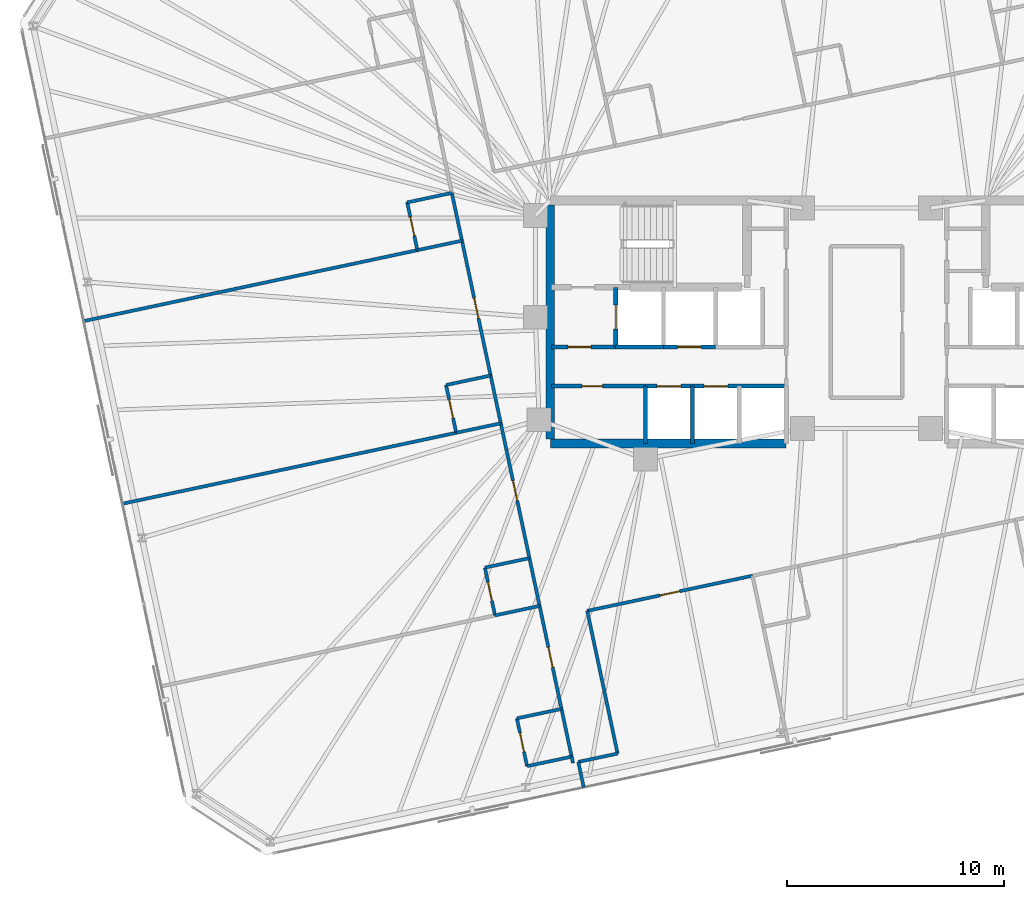
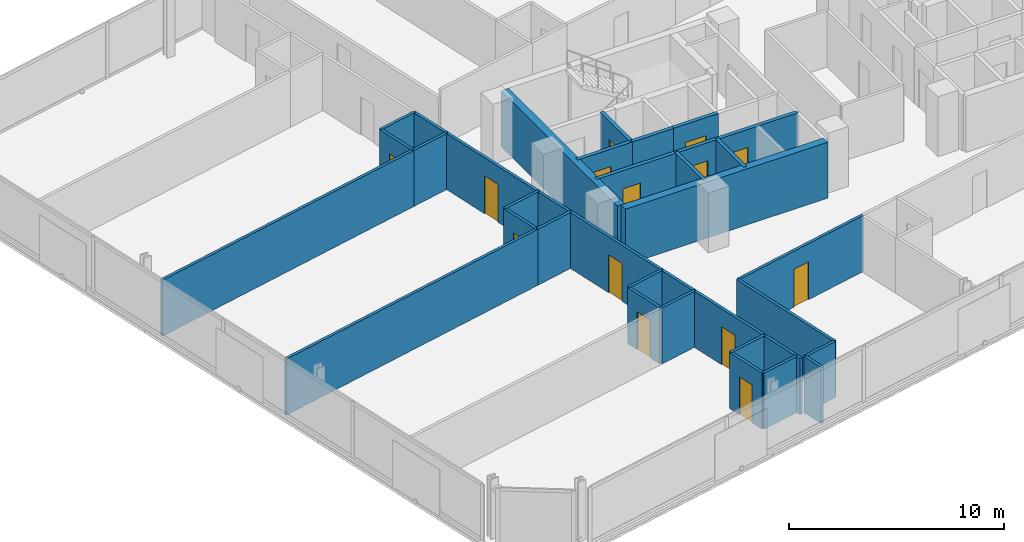
# One storey, part 14 of 19: 35 walls, 14 doors, 14 openings.
"""IFC4 building model written with IfcOpenShell, lengths in metres."""

from ifc_helpers import new_model, si_unit, direction, frame, frame_2d, origin, place, context, subcontext, project, spatial, rectangle, extrude, material, layer, layer_set, type_object, element, fill, save


model = new_model("IFC4")

# Units and contexts
model_context = context("Model", 3, precision=1e-05, world=origin(), true_north=direction((0.0, 1.0)))
body_context = subcontext(model_context, "Body", "Model", "MODEL_VIEW")
ifc_project = project(units=[si_unit("LENGTHUNIT", "METRE"), si_unit("AREAUNIT", "SQUARE_METRE"), si_unit("VOLUMEUNIT", "CUBIC_METRE"), si_unit("PLANEANGLEUNIT", "RADIAN"), si_unit("MASSUNIT", "GRAM", prefix="KILO")], contexts=[model_context])

# Site, building, storey
site_placement = place(None, origin())
site = spatial("IfcSite", under=ifc_project, at=site_placement, CompositionType="ELEMENT")
building_placement = place(site_placement, origin())
building = spatial("IfcBuilding", under=site, at=building_placement, Name="Menara Jurai Vektor", CompositionType="ELEMENT")
storey_placement = place(building_placement, frame((0.0, 0.0, 182.0)))
storey = spatial("IfcBuildingStorey", under=building, at=storey_placement, Name="L47", CompositionType="ELEMENT", Elevation=182.0)

# Wall, opening, door
ifc_material_1 = material(Name="Concrete C40/50", Category="concrete")
ifc_layer_1 = layer(ifc_material_1, 0.25)
ifc_layer_set_1 = layer_set([ifc_layer_1], Name="Concrete C40/50")
wall_type_1 = type_object("IfcWallType", Name="INT-WALL-CORE-250", PredefinedType="STANDARD", material=ifc_layer_set_1)
wall_1_placement = place(storey_placement, frame((-11.550048828125, -1.14990234375, 0.0), z_axis=(0.0, 0.0, 1.0), x_axis=(0.0, 1.0, 0.0)))
wall_1 = element("IfcWall", 1, at=wall_1_placement, inside=storey, type_object=wall_type_1, Name="Interior Wall IW-250 L47", PredefinedType="STANDARD", context=body_context, shape_type="SweptSolid", body=[
    extrude(rectangle(XDim=2.75, YDim=0.199951171875, at=frame_2d((1.375, 0.0))), origin(), (0.0, 0.0, 1.0), 3.175048828125),
])
opening_1_placement = place(wall_1_placement, frame((0.824951171875, 0.0, 0.0)))
opening_1 = element("IfcOpeningElement", 2, at=opening_1_placement, cuts=wall_1, Name="Opening LD-L47-FL1", PredefinedType="OPENING", context=body_context, shape_type="SweptSolid", body=[
    extrude(rectangle(XDim=1.10009765625, YDim=2.14990234375, at=frame_2d((0.550048828125, 1.074951171875))), frame((0.0, 0.10986328125, 0.0), z_axis=(0.0, -1.0, 0.0), x_axis=(1.0, 0.0, 0.0)), (0.0, 0.0, 1.0), 0.219970703125),
])
ifc_material_2 = material(Name="Stainless Steel Sliding Lift Landing Door", Category="steel")
door_type_1 = type_object("IfcDoorType", Name="DR-LIFT-FIRE-1100", OperationType="NOTDEFINED", PredefinedType="DOOR", material=ifc_material_2)
door_1_placement = place(opening_1_placement, origin())
door_1 = element("IfcDoor", 3, at=door_1_placement, inside=storey, type_object=door_type_1, Name="Lift Landing Door FL1 L47", OperationType="SLIDING_TO_RIGHT", OverallHeight=2.14990234375, OverallWidth=1.10009765625, PredefinedType="DOOR", context=body_context, shape_type="SweptSolid", body=[
    extrude(rectangle(XDim=1.10009765625, YDim=2.14990234375, at=frame_2d((0.550048828125, 1.074951171875))), frame((0.0, 0.02490234375, 0.0), z_axis=(0.0, -1.0, 0.0), x_axis=(1.0, 0.0, 0.0)), (0.0, 0.0, 1.0), 0.050048828125),
])
fill(opening_1, door_1)

wall_2_placement = place(storey_placement, frame((-14.5, -1.14990234375, 0.0), z_axis=(0.0, 0.0, 1.0), x_axis=(1.0, 0.0, 0.0)))
wall_2 = element("IfcWall", 4, at=wall_2_placement, inside=storey, type_object=wall_type_1, Name="Interior Wall IW-250 L47", PredefinedType="STANDARD", context=body_context, shape_type="SweptSolid", body=[
    extrude(rectangle(XDim=2.949951171875, YDim=0.199951171875, at=frame_2d((1.47509765625, 0.0))), origin(), (0.0, 0.0, 1.0), 3.175048828125),
])
opening_2_placement = place(wall_2_placement, frame((0.75, 0.0, 0.0)))
opening_2 = element("IfcOpeningElement", 5, at=opening_2_placement, cuts=wall_2, Name="Opening D-L47-FFW", PredefinedType="OPENING", context=body_context, shape_type="SweptSolid", body=[
    extrude(rectangle(XDim=1.050048828125, YDim=2.179931640625, at=frame_2d((0.52490234375, 1.08984375))), frame((0.0, 0.10986328125, 0.0), z_axis=(0.0, -1.0, 0.0), x_axis=(1.0, 0.0, 0.0)), (0.0, 0.0, 1.0), 0.219970703125),
])
ifc_material_3 = material(Name="Fire-Rated Timber Door", Category="wood")
door_type_2 = type_object("IfcDoorType", Name="DR-LOBBY-1050", OperationType="NOTDEFINED", PredefinedType="DOOR", material=ifc_material_3)
door_2_placement = place(opening_2_placement, origin())
door_2 = element("IfcDoor", 6, at=door_2_placement, inside=storey, type_object=door_type_2, Name="Fire Lift Lobby Door W L47", OperationType="SINGLE_SWING_RIGHT", OverallHeight=2.179931640625, OverallWidth=1.050048828125, PredefinedType="DOOR", context=body_context, shape_type="SweptSolid", body=[
    extrude(rectangle(XDim=1.050048828125, YDim=2.179931640625, at=frame_2d((0.52490234375, 1.08984375))), frame((0.0, 0.02490234375, 0.0), z_axis=(0.0, -1.0, 0.0), x_axis=(1.0, 0.0, 0.0)), (0.0, 0.0, 1.0), 0.050048828125),
])
fill(opening_2, door_2)

# Walls
wall_3_placement = place(storey_placement, frame((-11.550048828125, -1.14990234375, 0.0), z_axis=(0.0, 0.0, 1.0), x_axis=(1.0, 0.0, 0.0)))
element("IfcWall", 7, at=wall_3_placement, inside=storey, type_object=wall_type_1, Name="Interior Wall IW-250 L47", PredefinedType="STANDARD", context=body_context, shape_type="SweptSolid", body=[
    extrude(rectangle(XDim=2.199951171875, YDim=0.199951171875, at=frame_2d((1.10009765625, 0.0))), origin(), (0.0, 0.0, 1.0), 3.175048828125),
])
ifc_material_4 = material(Name="Gypsum Fireboard Partition", Category="gypsum")
ifc_layer_2 = layer(ifc_material_4, 0.14990234375)
ifc_layer_set_2 = layer_set([ifc_layer_2], Name="Gypsum Fireboard Partition")
wall_type_2 = type_object("IfcWallType", Name="INT-WALL-CORR-150", PredefinedType="PARTITIONING", material=ifc_layer_set_2)
wall_4_placement = place(storey_placement, frame((-13.274169921875, -20.264892578125, 0.0), z_axis=(0.0, 0.0, 1.0), x_axis=(0.978160192495, 0.207852442415, 0.0)))
element("IfcWall", 8, at=wall_4_placement, inside=storey, type_object=wall_type_2, Name="Interior Wall IW-150 L47", PredefinedType="PARTITIONING", context=body_context, shape_type="SweptSolid", body=[
    extrude(rectangle(XDim=1.849853515625, YDim=0.14990234375, at=frame_2d((0.9248046875, 0.0))), origin(), (0.0, 0.0, 1.0), 3.175048828125),
])
wall_5_placement = place(storey_placement, frame((-11.464599609375, -19.88037109375, 0.0), z_axis=(0.0, 0.0, 1.0), x_axis=(-0.207916109912, 0.978146661416, 0.0)))
element("IfcWall", 9, at=wall_5_placement, inside=storey, type_object=wall_type_2, Name="Interior Wall IW-150 L47", PredefinedType="PARTITIONING", context=body_context, shape_type="SweptSolid", body=[
    extrude(rectangle(XDim=6.72021484375, YDim=0.14990234375, at=frame_2d((3.360107421875, 0.0))), origin(), (0.0, 0.0, 1.0), 3.175048828125),
])

# Wall, opening, door
wall_6_placement = place(storey_placement, frame((-12.86181640625, -13.30712890625, 0.0), z_axis=(0.0, 0.0, 1.0), x_axis=(0.978144096287, 0.20792817726, 0.0)))
wall_6 = element("IfcWall", 10, at=wall_6_placement, inside=storey, type_object=wall_type_2, Name="Interior Wall IW-150 L47", PredefinedType="PARTITIONING", context=body_context, shape_type="SweptSolid", body=[
    extrude(rectangle(XDim=7.78125, YDim=0.14990234375, at=frame_2d((3.890625, 0.0))), origin(), (0.0, 0.0, 1.0), 3.175048828125),
])
opening_3_placement = place(wall_6_placement, frame((3.430419921875, 0.0, 0.0)))
opening_3 = element("IfcOpeningElement", 11, at=opening_3_placement, cuts=wall_6, Name="Opening D47-14", PredefinedType="OPENING", context=body_context, shape_type="SweptSolid", body=[
    extrude(rectangle(XDim=0.919921875, YDim=2.14990234375, at=frame_2d((0.4599609375, 1.074951171875))), frame((0.0, 0.0849609375, 0.0), z_axis=(0.0, -1.0, 0.0), x_axis=(1.0, 0.0, 0.0)), (0.0, 0.0, 1.0), 0.169921875),
])
ifc_material_5 = material(Name="Solid Core Timber Fire Door", Category="wood")
door_type_3 = type_object("IfcDoorType", Name="DR-ENTRY-950", OperationType="NOTDEFINED", PredefinedType="DOOR", material=ifc_material_5)
door_3_placement = place(opening_3_placement, origin())
door_3 = element("IfcDoor", 12, at=door_3_placement, inside=storey, type_object=door_type_3, Name="Interior Door D47-14", OperationType="SINGLE_SWING_LEFT", OverallHeight=2.14990234375, OverallWidth=0.919921875, PredefinedType="DOOR", context=body_context, shape_type="SweptSolid", body=[
    extrude(rectangle(XDim=0.919921875, YDim=2.14990234375, at=frame_2d((0.4599609375, 1.074951171875))), frame((0.0, 0.02490234375, 0.0), z_axis=(0.0, -1.0, 0.0), x_axis=(1.0, 0.0, 0.0)), (0.0, 0.0, 1.0), 0.050048828125),
])
fill(opening_3, door_3)

# Wall
wall_7_placement = place(storey_placement, frame((-13.518798828125, -20.31689453125, 0.0), z_axis=(0.0, 0.0, 1.0), x_axis=(-0.207527808066, 0.978229118806, 0.0)))
element("IfcWall", 13, at=wall_7_placement, inside=storey, type_object=wall_type_2, Name="Interior Wall IW-150 L47", PredefinedType="PARTITIONING", context=body_context, shape_type="SweptSolid", body=[
    extrude(rectangle(XDim=0.300048828125, YDim=0.14990234375, at=frame_2d((0.14990234375, 0.0))), origin(), (0.0, 0.0, 1.0), 3.175048828125),
])

# Wall, opening, door
wall_8_placement = place(storey_placement, frame((-14.048828125, -17.822509765625, 0.0), z_axis=(0.0, 0.0, 1.0), x_axis=(-0.2079027059, 0.978149510494, 0.0)))
wall_8 = element("IfcWall", 14, at=wall_8_placement, inside=storey, type_object=wall_type_2, Name="Interior Wall IW-150 L47", PredefinedType="PARTITIONING", context=body_context, shape_type="SweptSolid", body=[
    extrude(rectangle(XDim=4.849853515625, YDim=0.14990234375, at=frame_2d((2.4248046875, 0.0))), origin(), (0.0, 0.0, 1.0), 3.175048828125),
])
opening_4_placement = place(wall_8_placement, frame((1.949951171875, 0.0, 0.0)))
opening_4 = element("IfcOpeningElement", 15, at=opening_4_placement, cuts=wall_8, Name="Opening D47-19", PredefinedType="OPENING", context=body_context, shape_type="SweptSolid", body=[
    extrude(rectangle(XDim=0.949951171875, YDim=2.14990234375, at=frame_2d((0.47509765625, 1.074951171875))), frame((0.0, 0.0849609375, 0.0), z_axis=(0.0, -1.0, 0.0), x_axis=(1.0, 0.0, 0.0)), (0.0, 0.0, 1.0), 0.169921875),
])
door_4_placement = place(opening_4_placement, origin())
door_4 = element("IfcDoor", 16, at=door_4_placement, inside=storey, type_object=door_type_3, Name="Interior Door D47-19", OperationType="SINGLE_SWING_RIGHT", OverallHeight=2.14990234375, OverallWidth=0.949951171875, PredefinedType="DOOR", context=body_context, shape_type="SweptSolid", body=[
    extrude(rectangle(XDim=0.949951171875, YDim=2.14990234375, at=frame_2d((0.47509765625, 1.074951171875))), frame((0.0, 0.02490234375, 0.0), z_axis=(0.0, -1.0, 0.0), x_axis=(1.0, 0.0, 0.0)), (0.0, 0.0, 1.0), 0.050048828125),
])
fill(opening_4, door_4)

# Wall
wall_9_placement = place(storey_placement, frame((-13.5810546875, -20.0234375, 0.0), z_axis=(0.0, 0.0, 1.0), x_axis=(-0.207891197838, 0.978151956427, 0.0)))
element("IfcWall", 17, at=wall_9_placement, inside=storey, type_object=wall_type_2, Name="Interior Wall IW-150 L47", PredefinedType="PARTITIONING", context=body_context, shape_type="SweptSolid", body=[
    extrude(rectangle(XDim=2.25, YDim=0.14990234375, at=frame_2d((1.125, 0.0))), origin(), (0.0, 0.0, 1.0), 3.175048828125),
])

# Wall, opening, door
wall_10_placement = place(storey_placement, frame((-15.525146484375, -10.877685546875, 0.0), z_axis=(0.0, 0.0, 1.0), x_axis=(-0.207887725283, 0.978152694459, 0.0)))
wall_10 = element("IfcWall", 18, at=wall_10_placement, inside=storey, type_object=wall_type_2, Name="Interior Wall IW-150 L47", PredefinedType="PARTITIONING", context=body_context, shape_type="SweptSolid", body=[
    extrude(rectangle(XDim=6.349853515625, YDim=0.14990234375, at=frame_2d((3.1748046875, 0.0))), origin(), (0.0, 0.0, 1.0), 3.175048828125),
])
opening_5_placement = place(wall_10_placement, frame((2.699951171875, 0.0, 0.0)))
opening_5 = element("IfcOpeningElement", 19, at=opening_5_placement, cuts=wall_10, Name="Opening D47-21", PredefinedType="OPENING", context=body_context, shape_type="SweptSolid", body=[
    extrude(rectangle(XDim=0.949951171875, YDim=2.14990234375, at=frame_2d((0.47509765625, 1.074951171875))), frame((0.0, 0.0849609375, 0.0), z_axis=(0.0, -1.0, 0.0), x_axis=(1.0, 0.0, 0.0)), (0.0, 0.0, 1.0), 0.169921875),
])
door_5_placement = place(opening_5_placement, origin())
door_5 = element("IfcDoor", 20, at=door_5_placement, inside=storey, type_object=door_type_3, Name="Interior Door D47-21", OperationType="SINGLE_SWING_RIGHT", OverallHeight=2.14990234375, OverallWidth=0.949951171875, PredefinedType="DOOR", context=body_context, shape_type="SweptSolid", body=[
    extrude(rectangle(XDim=0.949951171875, YDim=2.14990234375, at=frame_2d((0.47509765625, 1.074951171875))), frame((0.0, 0.02490234375, 0.0), z_axis=(0.0, -1.0, 0.0), x_axis=(1.0, 0.0, 0.0)), (0.0, 0.0, 1.0), 0.050048828125),
])
fill(opening_5, door_5)

# Wall
wall_11_placement = place(storey_placement, frame((-15.05712890625, -13.07861328125, 0.0), z_axis=(0.0, 0.0, 1.0), x_axis=(-0.207995007687, 0.978129887478, 0.0)))
element("IfcWall", 21, at=wall_11_placement, inside=storey, type_object=wall_type_2, Name="Interior Wall IW-150 L47", PredefinedType="PARTITIONING", context=body_context, shape_type="SweptSolid", body=[
    extrude(rectangle(XDim=2.250244140625, YDim=0.14990234375, at=frame_2d((1.125, 0.0))), origin(), (0.0, 0.0, 1.0), 3.175048828125),
])

# Wall, opening, door
wall_12_placement = place(storey_placement, frame((-17.31298828125, -2.4658203125, 0.0), z_axis=(0.0, 0.0, 1.0), x_axis=(-0.207916691923, 0.978146537703, 0.0)))
wall_12 = element("IfcWall", 22, at=wall_12_placement, inside=storey, type_object=wall_type_2, Name="Interior Wall IW-150 L47", PredefinedType="PARTITIONING", context=body_context, shape_type="SweptSolid", body=[
    extrude(rectangle(XDim=6.35009765625, YDim=0.14990234375, at=frame_2d((3.175048828125, 0.0))), origin(), (0.0, 0.0, 1.0), 3.175048828125),
])
opening_6_placement = place(wall_12_placement, frame((2.699951171875, 0.0, 0.0)))
opening_6 = element("IfcOpeningElement", 23, at=opening_6_placement, cuts=wall_12, Name="Opening D47-23", PredefinedType="OPENING", context=body_context, shape_type="SweptSolid", body=[
    extrude(rectangle(XDim=0.949951171875, YDim=2.14990234375, at=frame_2d((0.47509765625, 1.074951171875))), frame((0.0, 0.0849609375, 0.0), z_axis=(0.0, -1.0, 0.0), x_axis=(1.0, 0.0, 0.0)), (0.0, 0.0, 1.0), 0.169921875),
])
door_6_placement = place(opening_6_placement, origin())
door_6 = element("IfcDoor", 24, at=door_6_placement, inside=storey, type_object=door_type_3, Name="Interior Door D47-23", OperationType="SINGLE_SWING_RIGHT", OverallHeight=2.14990234375, OverallWidth=0.949951171875, PredefinedType="DOOR", context=body_context, shape_type="SweptSolid", body=[
    extrude(rectangle(XDim=0.949951171875, YDim=2.14990234375, at=frame_2d((0.47509765625, 1.074951171875))), frame((0.0, 0.02490234375, 0.0), z_axis=(0.0, -1.0, 0.0), x_axis=(1.0, 0.0, 0.0)), (0.0, 0.0, 1.0), 0.050048828125),
])
fill(opening_6, door_6)

# Walls
for number, where, z_axis, x_axis, name in (
    (25, (-16.84521484375, -4.66650390625, 0.0), (0.0, 0.0, 1.0), (-0.207913264065, 0.978147266328, 0.0), "Interior Wall IW-150 L47"),
    (26, (-18.63330078125, 3.74560546875, 0.0), (0.0, 0.0, 1.0), (-0.207913264065, 0.978147266328, 0.0), "Interior Wall IW-150 L47"),
):
    element("IfcWall", number, at=place(storey_placement, frame(where, z_axis=z_axis, x_axis=x_axis)), inside=storey, type_object=wall_type_2, Name=name, PredefinedType="PARTITIONING", context=body_context, shape_type="SweptSolid", body=[
        extrude(rectangle(XDim=2.249755859375, YDim=0.14990234375, at=frame_2d((1.125, 0.0))), origin(), (0.0, 0.0, 1.0), 3.175048828125),
    ])
wall_13_placement = place(storey_placement, frame((-13.024658203125, -21.438720703125, 0.0), z_axis=(0.0, 0.0, 1.0), x_axis=(-0.207917150959, 0.978146440129, 0.0)))
element("IfcWall", 27, at=wall_13_placement, inside=storey, type_object=wall_type_2, Name="Interior Wall IW-150 L47", PredefinedType="PARTITIONING", context=body_context, shape_type="SweptSolid", body=[
    extrude(rectangle(XDim=1.199951171875, YDim=0.14990234375, at=frame_2d((0.60009765625, 0.0))), origin(), (0.0, 0.0, 1.0), 3.175048828125),
])

# Wall, opening, door
wall_14_placement = place(storey_placement, frame((-15.63525390625, -20.4599609375, 0.0), z_axis=(0.0, 0.0, 1.0), x_axis=(-0.207913264065, 0.978147266328, 0.0)))
wall_14 = element("IfcWall", 28, at=wall_14_placement, inside=storey, type_object=wall_type_2, Name="Interior Wall IW-150 L47", PredefinedType="PARTITIONING", context=body_context, shape_type="SweptSolid", body=[
    extrude(rectangle(XDim=2.249755859375, YDim=0.14990234375, at=frame_2d((1.125, 0.0))), origin(), (0.0, 0.0, 1.0), 3.175048828125),
])
opening_7_placement = place(wall_14_placement, frame((0.68505859375, 0.0, 0.0)))
opening_7 = element("IfcOpeningElement", 29, at=opening_7_placement, cuts=wall_14, Name="Opening D47-20", PredefinedType="OPENING", context=body_context, shape_type="SweptSolid", body=[
    extrude(rectangle(XDim=0.8798828125, YDim=2.14990234375, at=frame_2d((0.43994140625, 1.074951171875))), frame((0.0, 0.0849609375, 0.0), z_axis=(0.0, -1.0, 0.0), x_axis=(1.0, 0.0, 0.0)), (0.0, 0.0, 1.0), 0.169921875),
])
ifc_material_6 = material(Name="Moisture-Resistant Timber Door", Category="wood")
door_type_4 = type_object("IfcDoorType", Name="DR-BATH-880", OperationType="NOTDEFINED", PredefinedType="DOOR", material=ifc_material_6)
door_7_placement = place(opening_7_placement, origin())
door_7 = element("IfcDoor", 30, at=door_7_placement, inside=storey, type_object=door_type_4, Name="Interior Door D47-20", OperationType="SINGLE_SWING_LEFT", OverallHeight=2.14990234375, OverallWidth=0.8798828125, PredefinedType="DOOR", context=body_context, shape_type="SweptSolid", body=[
    extrude(rectangle(XDim=0.8798828125, YDim=2.14990234375, at=frame_2d((0.43994140625, 1.074951171875))), frame((0.0, 0.02490234375, 0.0), z_axis=(0.0, -1.0, 0.0), x_axis=(1.0, 0.0, 0.0)), (0.0, 0.0, 1.0), 0.050048828125),
])
fill(opening_7, door_7)

# Walls
for number, where, z_axis, x_axis, name in (
    (31, (-15.63525390625, -20.4599609375, 0.0), (0.0, 0.0, 1.0), (0.97815826, 0.207861536591, 0.0), "Interior Wall IW-150 L47"),
    (32, (-16.10302734375, -18.25927734375, 0.0), (0.0, 0.0, 1.0), (0.978134617382, 0.207972763311, 0.0), "Interior Wall IW-150 L47"),
    (33, (-17.111328125, -13.51513671875, 0.0), (0.0, 0.0, 1.0), (0.97815826, 0.207861536591, 0.0), "Interior Wall IW-150 L47"),
):
    element("IfcWall", number, at=place(storey_placement, frame(where, z_axis=z_axis, x_axis=x_axis)), inside=storey, type_object=wall_type_2, Name=name, PredefinedType="PARTITIONING", context=body_context, shape_type="SweptSolid", body=[
        extrude(rectangle(XDim=2.10009765625, YDim=0.14990234375, at=frame_2d((1.050048828125, 0.0))), origin(), (0.0, 0.0, 1.0), 3.175048828125),
    ])

# Wall, opening, door
wall_15_placement = place(storey_placement, frame((-17.111328125, -13.51513671875, 0.0), z_axis=(0.0, 0.0, 1.0), x_axis=(-0.207913264065, 0.978147266328, 0.0)))
wall_15 = element("IfcWall", 34, at=wall_15_placement, inside=storey, type_object=wall_type_2, Name="Interior Wall IW-150 L47", PredefinedType="PARTITIONING", context=body_context, shape_type="SweptSolid", body=[
    extrude(rectangle(XDim=2.249755859375, YDim=0.14990234375, at=frame_2d((1.125, 0.0))), origin(), (0.0, 0.0, 1.0), 3.175048828125),
])
opening_8_placement = place(wall_15_placement, frame((0.68505859375, 0.0, 0.0)))
opening_8 = element("IfcOpeningElement", 35, at=opening_8_placement, cuts=wall_15, Name="Opening D47-22", PredefinedType="OPENING", context=body_context, shape_type="SweptSolid", body=[
    extrude(rectangle(XDim=0.8798828125, YDim=2.14990234375, at=frame_2d((0.43994140625, 1.074951171875))), frame((0.0, 0.0849609375, 0.0), z_axis=(0.0, -1.0, 0.0), x_axis=(1.0, 0.0, 0.0)), (0.0, 0.0, 1.0), 0.169921875),
])
door_8_placement = place(opening_8_placement, origin())
door_8 = element("IfcDoor", 36, at=door_8_placement, inside=storey, type_object=door_type_4, Name="Interior Door D47-22", OperationType="SINGLE_SWING_LEFT", OverallHeight=2.14990234375, OverallWidth=0.8798828125, PredefinedType="DOOR", context=body_context, shape_type="SweptSolid", body=[
    extrude(rectangle(XDim=0.8798828125, YDim=2.14990234375, at=frame_2d((0.43994140625, 1.074951171875))), frame((0.0, 0.02490234375, 0.0), z_axis=(0.0, -1.0, 0.0), x_axis=(1.0, 0.0, 0.0)), (0.0, 0.0, 1.0), 0.050048828125),
])
fill(opening_8, door_8)

# Walls
wall_16_placement = place(storey_placement, frame((-17.5791015625, -11.314453125, 0.0), z_axis=(0.0, 0.0, 1.0), x_axis=(0.978129588365, 0.207996414309, 0.0)))
element("IfcWall", 37, at=wall_16_placement, inside=storey, type_object=wall_type_2, Name="Interior Wall IW-150 L47", PredefinedType="PARTITIONING", context=body_context, shape_type="SweptSolid", body=[
    extrude(rectangle(XDim=2.099853515625, YDim=0.14990234375, at=frame_2d((1.0498046875, 0.0))), origin(), (0.0, 0.0, 1.0), 3.175048828125),
])
wall_17_placement = place(storey_placement, frame((-34.27392578125, -8.37109375, 0.0), z_axis=(0.0, 0.0, 1.0), x_axis=(0.978146137903, 0.207918572776, 0.0)))
element("IfcWall", 38, at=wall_17_placement, inside=storey, type_object=wall_type_2, Name="Interior Wall IW-150 L47", PredefinedType="PARTITIONING", context=body_context, shape_type="SweptSolid", body=[
    extrude(rectangle(XDim=15.718017578125, YDim=0.14990234375, at=frame_2d((7.85888671875, 0.0))), origin(), (0.0, 0.0, 1.0), 3.175048828125),
])
wall_18_placement = place(storey_placement, frame((-18.8994140625, -5.10302734375, 0.0), z_axis=(0.0, 0.0, 1.0), x_axis=(0.97815826, 0.207861536591, 0.0)))
element("IfcWall", 39, at=wall_18_placement, inside=storey, type_object=wall_type_2, Name="Interior Wall IW-150 L47", PredefinedType="PARTITIONING", context=body_context, shape_type="SweptSolid", body=[
    extrude(rectangle(XDim=2.10009765625, YDim=0.14990234375, at=frame_2d((1.050048828125, 0.0))), origin(), (0.0, 0.0, 1.0), 3.175048828125),
])

# Wall, opening, door
wall_19_placement = place(storey_placement, frame((-18.8994140625, -5.10302734375, 0.0), z_axis=(0.0, 0.0, 1.0), x_axis=(-0.207913264065, 0.978147266328, 0.0)))
wall_19 = element("IfcWall", 40, at=wall_19_placement, inside=storey, type_object=wall_type_2, Name="Interior Wall IW-150 L47", PredefinedType="PARTITIONING", context=body_context, shape_type="SweptSolid", body=[
    extrude(rectangle(XDim=2.249755859375, YDim=0.14990234375, at=frame_2d((1.125, 0.0))), origin(), (0.0, 0.0, 1.0), 3.175048828125),
])
opening_9_placement = place(wall_19_placement, frame((0.68505859375, 0.0, 0.0)))
opening_9 = element("IfcOpeningElement", 41, at=opening_9_placement, cuts=wall_19, Name="Opening D47-24", PredefinedType="OPENING", context=body_context, shape_type="SweptSolid", body=[
    extrude(rectangle(XDim=0.8798828125, YDim=2.14990234375, at=frame_2d((0.43994140625, 1.074951171875))), frame((0.0, 0.0849609375, 0.0), z_axis=(0.0, -1.0, 0.0), x_axis=(1.0, 0.0, 0.0)), (0.0, 0.0, 1.0), 0.169921875),
])
door_9_placement = place(opening_9_placement, origin())
door_9 = element("IfcDoor", 42, at=door_9_placement, inside=storey, type_object=door_type_4, Name="Interior Door D47-24", OperationType="SINGLE_SWING_LEFT", OverallHeight=2.14990234375, OverallWidth=0.8798828125, PredefinedType="DOOR", context=body_context, shape_type="SweptSolid", body=[
    extrude(rectangle(XDim=0.8798828125, YDim=2.14990234375, at=frame_2d((0.43994140625, 1.074951171875))), frame((0.0, 0.02490234375, 0.0), z_axis=(0.0, -1.0, 0.0), x_axis=(1.0, 0.0, 0.0)), (0.0, 0.0, 1.0), 0.050048828125),
])
fill(opening_9, door_9)

# Walls
wall_20_placement = place(storey_placement, frame((-19.3671875, -2.90234375, 0.0), z_axis=(0.0, 0.0, 1.0), x_axis=(0.97815826, 0.207861536591, 0.0)))
element("IfcWall", 43, at=wall_20_placement, inside=storey, type_object=wall_type_2, Name="Interior Wall IW-150 L47", PredefinedType="PARTITIONING", context=body_context, shape_type="SweptSolid", body=[
    extrude(rectangle(XDim=2.10009765625, YDim=0.14990234375, at=frame_2d((1.050048828125, 0.0))), origin(), (0.0, 0.0, 1.0), 3.175048828125),
])
wall_21_placement = place(storey_placement, frame((-36.06201171875, 0.041015625, 0.0), z_axis=(0.0, 0.0, 1.0), x_axis=(0.978149296727, 0.207903711638, 0.0)))
element("IfcWall", 44, at=wall_21_placement, inside=storey, type_object=wall_type_2, Name="Interior Wall IW-150 L47", PredefinedType="PARTITIONING", context=body_context, shape_type="SweptSolid", body=[
    extrude(rectangle(XDim=15.718017578125, YDim=0.14990234375, at=frame_2d((7.85888671875, 0.0))), origin(), (0.0, 0.0, 1.0), 3.175048828125),
])
wall_22_placement = place(storey_placement, frame((-20.6875, 3.308837890625, 0.0), z_axis=(0.0, 0.0, 1.0), x_axis=(0.978134617382, 0.207972763311, 0.0)))
element("IfcWall", 45, at=wall_22_placement, inside=storey, type_object=wall_type_2, Name="Interior Wall IW-150 L47", PredefinedType="PARTITIONING", context=body_context, shape_type="SweptSolid", body=[
    extrude(rectangle(XDim=2.10009765625, YDim=0.14990234375, at=frame_2d((1.050048828125, 0.0))), origin(), (0.0, 0.0, 1.0), 3.175048828125),
])

# Wall, opening, door
wall_23_placement = place(storey_placement, frame((-20.6875, 3.308837890625, 0.0), z_axis=(0.0, 0.0, 1.0), x_axis=(-0.207891197838, 0.978151956427, 0.0)))
wall_23 = element("IfcWall", 46, at=wall_23_placement, inside=storey, type_object=wall_type_2, Name="Interior Wall IW-150 L47", PredefinedType="PARTITIONING", context=body_context, shape_type="SweptSolid", body=[
    extrude(rectangle(XDim=2.25, YDim=0.14990234375, at=frame_2d((1.125, 0.0))), origin(), (0.0, 0.0, 1.0), 3.175048828125),
])
opening_10_placement = place(wall_23_placement, frame((0.68505859375, 0.0, 0.0)))
opening_10 = element("IfcOpeningElement", 47, at=opening_10_placement, cuts=wall_23, Name="Opening D47-26", PredefinedType="OPENING", context=body_context, shape_type="SweptSolid", body=[
    extrude(rectangle(XDim=0.8798828125, YDim=2.14990234375, at=frame_2d((0.43994140625, 1.074951171875))), frame((0.0, 0.0849609375, 0.0), z_axis=(0.0, -1.0, 0.0), x_axis=(1.0, 0.0, 0.0)), (0.0, 0.0, 1.0), 0.169921875),
])
door_10_placement = place(opening_10_placement, origin())
door_10 = element("IfcDoor", 48, at=door_10_placement, inside=storey, type_object=door_type_4, Name="Interior Door D47-26", OperationType="SINGLE_SWING_LEFT", OverallHeight=2.14990234375, OverallWidth=0.8798828125, PredefinedType="DOOR", context=body_context, shape_type="SweptSolid", body=[
    extrude(rectangle(XDim=0.8798828125, YDim=2.14990234375, at=frame_2d((0.43994140625, 1.074951171875))), frame((0.0, 0.02490234375, 0.0), z_axis=(0.0, -1.0, 0.0), x_axis=(1.0, 0.0, 0.0)), (0.0, 0.0, 1.0), 0.050048828125),
])
fill(opening_10, door_10)

# Wall
wall_24_placement = place(storey_placement, frame((-21.1552734375, 5.509765625, 0.0), z_axis=(0.0, 0.0, 1.0), x_axis=(0.97815826, 0.207861536591, 0.0)))
element("IfcWall", 49, at=wall_24_placement, inside=storey, type_object=wall_type_2, Name="Interior Wall IW-150 L47", PredefinedType="PARTITIONING", context=body_context, shape_type="SweptSolid", body=[
    extrude(rectangle(XDim=2.10009765625, YDim=0.14990234375, at=frame_2d((1.050048828125, 0.0))), origin(), (0.0, 0.0, 1.0), 3.175048828125),
])

# Wall, opening, door
ifc_layer_3 = layer(ifc_material_1, 0.199951171875)
ifc_layer_set_3 = layer_set([ifc_layer_3], Name="Concrete C40/50")
wall_type_3 = type_object("IfcWallType", Name="INT-WALL-SHAFT-200", PredefinedType="STANDARD", material=ifc_layer_set_3)
wall_25_placement = place(storey_placement, frame((-9.35009765625, -1.14990234375, 0.0), z_axis=(0.0, 0.0, 1.0), x_axis=(1.0, 0.0, 0.0)))
wall_25 = element("IfcWall", 50, at=wall_25_placement, inside=storey, type_object=wall_type_3, Name="Interior Wall IW-200 L47", PredefinedType="STANDARD", context=body_context, shape_type="SweptSolid", body=[
    extrude(rectangle(XDim=2.400146484375, YDim=0.199951171875, at=frame_2d((1.2001953125, 0.0))), origin(), (0.0, 0.0, 1.0), 3.175048828125),
])
opening_11_placement = place(wall_25_placement, frame((0.64990234375, 0.0, 0.0)))
opening_11 = element("IfcOpeningElement", 51, at=opening_11_placement, cuts=wall_25, Name="Opening LD-L47-SVL1", PredefinedType="OPENING", context=body_context, shape_type="SweptSolid", body=[
    extrude(rectangle(XDim=1.10009765625, YDim=2.14990234375, at=frame_2d((0.550048828125, 1.074951171875))), frame((0.0, 0.10986328125, 0.0), z_axis=(0.0, -1.0, 0.0), x_axis=(1.0, 0.0, 0.0)), (0.0, 0.0, 1.0), 0.219970703125),
])
ifc_material_7 = material(Name="Anodised Stainless Sliding Lift Landing Door", Category="steel")
door_type_5 = type_object("IfcDoorType", Name="DR-LIFT-PASS-1100", OperationType="NOTDEFINED", PredefinedType="DOOR", material=ifc_material_7)
door_11_placement = place(opening_11_placement, origin())
door_11 = element("IfcDoor", 52, at=door_11_placement, inside=storey, type_object=door_type_5, Name="Lift Landing Door SVL1 L47", OperationType="SLIDING_TO_RIGHT", OverallHeight=2.14990234375, OverallWidth=1.10009765625, PredefinedType="DOOR", context=body_context, shape_type="SweptSolid", body=[
    extrude(rectangle(XDim=1.10009765625, YDim=2.14990234375, at=frame_2d((0.550048828125, 1.074951171875))), frame((0.0, 0.02490234375, 0.0), z_axis=(0.0, -1.0, 0.0), x_axis=(1.0, 0.0, 0.0)), (0.0, 0.0, 1.0), 0.050048828125),
])
fill(opening_11, door_11)

# Wall, openings, doors
wall_26_placement = place(storey_placement, frame((-14.5, -2.949951171875, 0.0), z_axis=(0.0, 0.0, 1.0), x_axis=(1.0, 0.0, 0.0)))
wall_26 = element("IfcWall", 53, at=wall_26_placement, inside=storey, type_object=wall_type_3, Name="Interior Wall IW-200 L47", PredefinedType="STANDARD", context=body_context, shape_type="SweptSolid", body=[
    extrude(rectangle(XDim=10.800048828125, YDim=0.199951171875, at=frame_2d((5.39990234375, 0.0))), origin(), (0.0, 0.0, 1.0), 3.175048828125),
])
opening_12_placement = place(wall_26_placement, frame((4.85009765625, 0.0, 0.0)))
opening_12 = element("IfcOpeningElement", 54, at=opening_12_placement, cuts=wall_26, Name="Opening LD-L47-PM1", PredefinedType="OPENING", context=body_context, shape_type="SweptSolid", body=[
    extrude(rectangle(XDim=1.10009765625, YDim=2.14990234375, at=frame_2d((0.550048828125, 1.074951171875))), frame((0.0, 0.10986328125, 0.0), z_axis=(0.0, -1.0, 0.0), x_axis=(1.0, 0.0, 0.0)), (0.0, 0.0, 1.0), 0.219970703125),
])
opening_13_placement = place(wall_26_placement, frame((7.010009765625, 0.0, 0.0)))
opening_13 = element("IfcOpeningElement", 55, at=opening_13_placement, cuts=wall_26, Name="Opening LD-L47-PM2", PredefinedType="OPENING", context=body_context, shape_type="SweptSolid", body=[
    extrude(rectangle(XDim=1.10009765625, YDim=2.14990234375, at=frame_2d((0.550048828125, 1.074951171875))), frame((0.0, 0.10986328125, 0.0), z_axis=(0.0, -1.0, 0.0), x_axis=(1.0, 0.0, 0.0)), (0.0, 0.0, 1.0), 0.219970703125),
])
opening_14_placement = place(wall_26_placement, frame((1.39990234375, 0.0, 0.0)))
opening_14 = element("IfcOpeningElement", 56, at=opening_14_placement, cuts=wall_26, Name="Opening D47-01", PredefinedType="OPENING", context=body_context, shape_type="SweptSolid", body=[
    extrude(rectangle(XDim=0.949951171875, YDim=2.14990234375, at=frame_2d((0.47509765625, 1.074951171875))), frame((0.0, 0.10986328125, 0.0), z_axis=(0.0, -1.0, 0.0), x_axis=(1.0, 0.0, 0.0)), (0.0, 0.0, 1.0), 0.219970703125),
])
door_12_placement = place(opening_14_placement, origin())
door_12 = element("IfcDoor", 57, at=door_12_placement, inside=storey, type_object=door_type_3, Name="Interior Door D47-01", OperationType="SINGLE_SWING_LEFT", OverallHeight=2.14990234375, OverallWidth=0.949951171875, PredefinedType="DOOR", context=body_context, shape_type="SweptSolid", body=[
    extrude(rectangle(XDim=0.949951171875, YDim=2.14990234375, at=frame_2d((0.47509765625, 1.074951171875))), frame((0.0, 0.02490234375, 0.0), z_axis=(0.0, -1.0, 0.0), x_axis=(1.0, 0.0, 0.0)), (0.0, 0.0, 1.0), 0.050048828125),
])
fill(opening_14, door_12)
door_13_placement = place(opening_12_placement, origin())
door_13 = element("IfcDoor", 58, at=door_13_placement, inside=storey, type_object=door_type_5, Name="Lift Landing Door PM1 L47", OperationType="SLIDING_TO_LEFT", OverallHeight=2.14990234375, OverallWidth=1.10009765625, PredefinedType="DOOR", context=body_context, shape_type="SweptSolid", body=[
    extrude(rectangle(XDim=1.10009765625, YDim=2.14990234375, at=frame_2d((0.550048828125, 1.074951171875))), frame((0.0, 0.02490234375, 0.0), z_axis=(0.0, -1.0, 0.0), x_axis=(1.0, 0.0, 0.0)), (0.0, 0.0, 1.0), 0.050048828125),
])
fill(opening_12, door_13)
door_14_placement = place(opening_13_placement, origin())
door_14 = element("IfcDoor", 59, at=door_14_placement, inside=storey, type_object=door_type_5, Name="Lift Landing Door PM2 L47", OperationType="SLIDING_TO_LEFT", OverallHeight=2.14990234375, OverallWidth=1.10009765625, PredefinedType="DOOR", context=body_context, shape_type="SweptSolid", body=[
    extrude(rectangle(XDim=1.10009765625, YDim=2.14990234375, at=frame_2d((0.550048828125, 1.074951171875))), frame((0.0, 0.02490234375, 0.0), z_axis=(0.0, -1.0, 0.0), x_axis=(1.0, 0.0, 0.0)), (0.0, 0.0, 1.0), 0.050048828125),
])
fill(opening_13, door_14)

# Walls
for number, where, z_axis, x_axis, name in (
    (60, (-10.179931640625, -5.60009765625, 0.0), (0.0, 0.0, 1.0), (0.0, 1.0, 0.0), "Interior Wall IW-200 L47"),
    (61, (-8.02001953125, -5.60009765625, 0.0), (0.0, 0.0, 1.0), (0.0, 1.0, 0.0), "Interior Wall IW-200 L47"),
):
    element("IfcWall", number, at=place(storey_placement, frame(where, z_axis=z_axis, x_axis=x_axis)), inside=storey, type_object=wall_type_3, Name=name, PredefinedType="STANDARD", context=body_context, shape_type="SweptSolid", body=[
        extrude(rectangle(XDim=2.650146484375, YDim=0.179931640625, at=frame_2d((1.3251953125, 0.0))), origin(), (0.0, 0.0, 1.0), 3.175048828125),
    ])
ifc_material_8 = material(Name="Concrete C50/60", Category="concrete")
ifc_layer_4 = layer(ifc_material_8, 0.39990234375)
ifc_layer_set_4 = layer_set([ifc_layer_4], Name="Concrete C50/60")
wall_type_4 = type_object("IfcWallType", Name="STR-WALL-CORE400", PredefinedType="SHEAR", material=ifc_layer_set_4)
wall_27_placement = place(storey_placement, frame((-14.56005859375, -5.60009765625, 0.0), z_axis=(0.0, 0.0, 1.0), x_axis=(1.0, 0.0, 0.0)))
element("IfcWall", 62, at=wall_27_placement, inside=storey, type_object=wall_type_4, Name="Core Shear Wall CW-W-S L47", PredefinedType="SHEAR", context=body_context, shape_type="SweptSolid", body=[
    extrude(rectangle(XDim=10.860107421875, YDim=0.39990234375, at=frame_2d((5.43017578125, 0.0))), origin(), (0.0, 0.0, 1.0), 3.175048828125),
])
wall_28_placement = place(storey_placement, frame((-14.56005859375, -5.39990234375, 0.0), z_axis=(0.0, 0.0, 1.0), x_axis=(0.0, 1.0, 0.0)))
element("IfcWall", 63, at=wall_28_placement, inside=storey, type_object=wall_type_4, Name="Core Shear Wall CW-W-W L47", PredefinedType="SHEAR", context=body_context, shape_type="SweptSolid", body=[
    extrude(rectangle(XDim=10.7998046875, YDim=0.39990234375, at=frame_2d((5.39990234375, 0.0))), origin(), (0.0, 0.0, 1.0), 3.175048828125),
])

save(model, "model.ifc")
